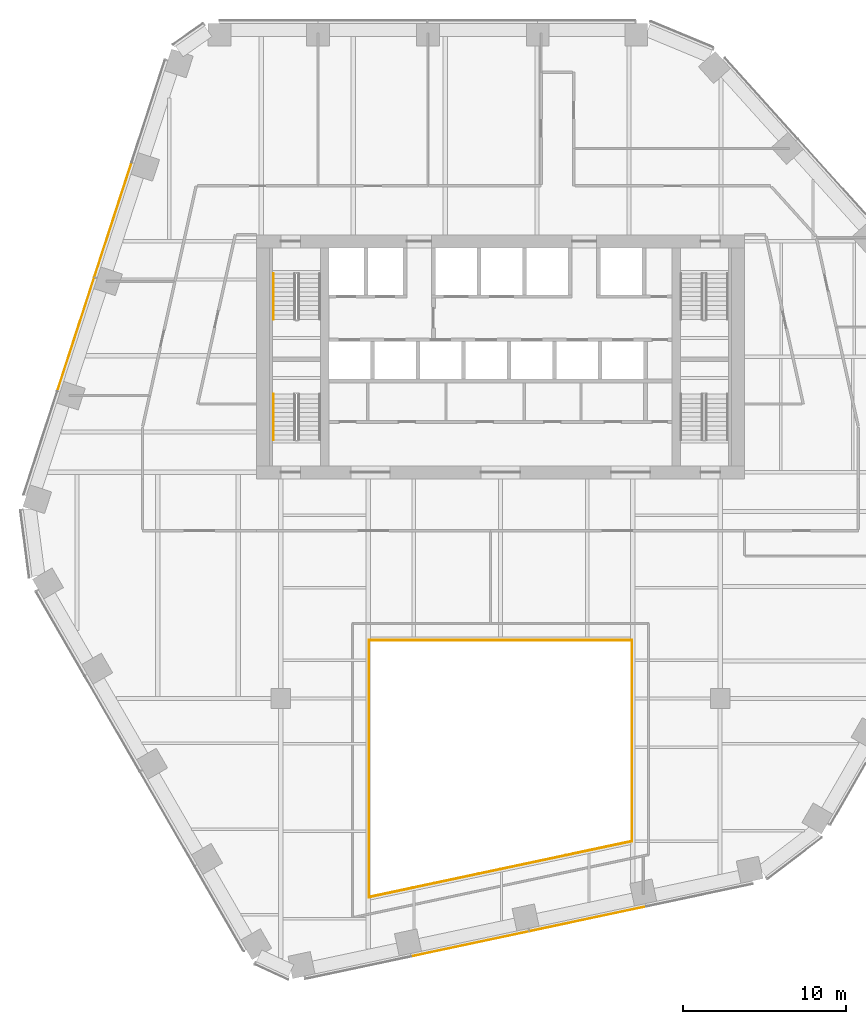
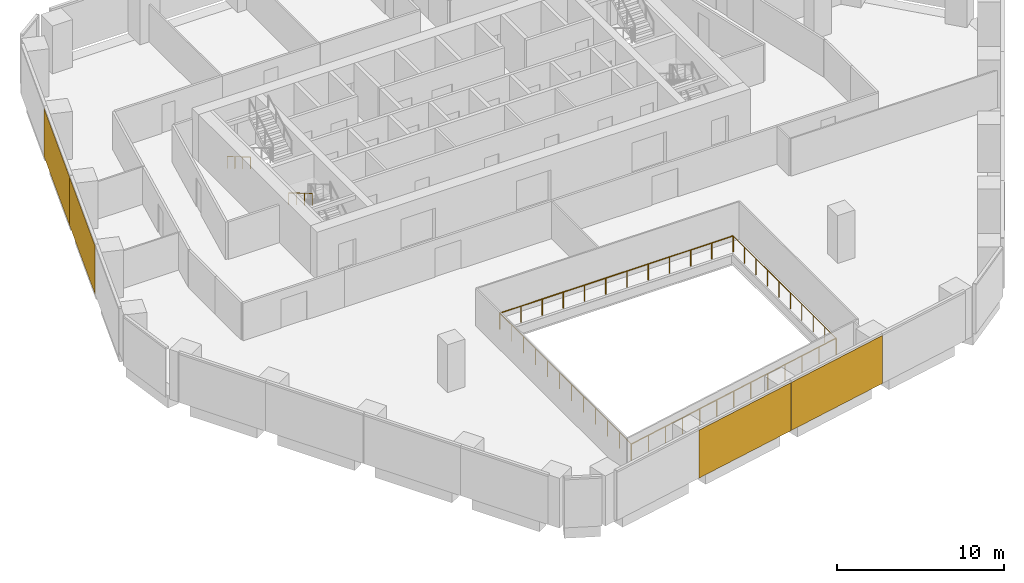
# One storey, part 14 of 16: 6 railings, 4 coverings, 2 elements without a shape of their own.
"""IFC4 building model written with IfcOpenShell, lengths in metres."""

from ifc_helpers import new_model, si_unit, direction, frame, origin, origin_2d, place, context, subcontext, project, spatial, rectangle, circle, extrude, material, layer, layer_set, type_object, element, aggregate, save


model = new_model("IFC4")

# Units and contexts
model_context = context("Model", 3, precision=1e-05, world=origin(), true_north=direction((0.0, 1.0)))
body_context = subcontext(model_context, "Body", "Model", "MODEL_VIEW")
ifc_project = project(units=[si_unit("LENGTHUNIT", "METRE"), si_unit("AREAUNIT", "SQUARE_METRE"), si_unit("VOLUMEUNIT", "CUBIC_METRE"), si_unit("PLANEANGLEUNIT", "RADIAN"), si_unit("MASSUNIT", "GRAM", prefix="KILO")], contexts=[model_context])

# Site, building, storey
site_placement = place(None, origin())
site = spatial("IfcSite", under=ifc_project, at=site_placement, CompositionType="ELEMENT")
building_placement = place(site_placement, origin())
building = spatial("IfcBuilding", under=site, at=building_placement, Name="Isthmus Gate Tower", CompositionType="ELEMENT")
storey_placement = place(building_placement, frame((0.0, 0.0, 137.10009765625)))
storey = spatial("IfcBuildingStorey", under=building, at=storey_placement, Name="L33", CompositionType="ELEMENT", Elevation=137.10009765625)

# Railings
ifc_material_1 = material(Name="Laminated toughened glass balustrade with steel rail", Category="steel")
railing_type_1 = type_object("IfcRailingType", Name="ATRIUM GUARD GLASS BALUSTRADE 1200", PredefinedType="GUARDRAIL", material=ifc_material_1)
railing_1_placement = place(storey_placement, frame((-8.080078125, -25.7099609375, 0.0)))
element("IfcRailing", 1, at=railing_1_placement, inside=storey, type_object=railing_type_1, Name="L33 atrium guard", PredefinedType="GUARDRAIL", context=body_context, shape_type="SweptSolid", body=[
    extrude(circle(Radius=0.02490234375, at=origin_2d()), frame((0.0, 0.0, 1.1748046875), z_axis=(0.0, 1.0, 0.0), x_axis=(-1.0, 0.0, 0.0)), (0.0, 0.0, 1.0), 15.7900390625),
    extrude(circle(Radius=0.02490234375, at=origin_2d()), origin(), (0.0, 0.0, 1.0), 1.14990234375),
    extrude(circle(Radius=0.02490234375, at=origin_2d()), frame((0.0, 1.435546875, 0.0)), (0.0, 0.0, 1.0), 1.14990234375),
    extrude(circle(Radius=0.02490234375, at=origin_2d()), frame((0.0, 2.870849609375, 0.0)), (0.0, 0.0, 1.0), 1.14990234375),
    extrude(circle(Radius=0.02490234375, at=origin_2d()), frame((0.0, 4.306396484375, 0.0)), (0.0, 0.0, 1.0), 1.14990234375),
    extrude(circle(Radius=0.02490234375, at=origin_2d()), frame((0.0, 5.741943359375, 0.0)), (0.0, 0.0, 1.0), 1.14990234375),
    extrude(circle(Radius=0.02490234375, at=origin_2d()), frame((0.0, 7.17724609375, 0.0)), (0.0, 0.0, 1.0), 1.14990234375),
    extrude(circle(Radius=0.02490234375, at=origin_2d()), frame((0.0, 8.61279296875, 0.0)), (0.0, 0.0, 1.0), 1.14990234375),
    extrude(circle(Radius=0.02490234375, at=origin_2d()), frame((0.0, 10.048095703125, 0.0)), (0.0, 0.0, 1.0), 1.14990234375),
    extrude(circle(Radius=0.02490234375, at=origin_2d()), frame((0.0, 11.483642578125, 0.0)), (0.0, 0.0, 1.0), 1.14990234375),
    extrude(circle(Radius=0.02490234375, at=origin_2d()), frame((0.0, 12.919189453125, 0.0)), (0.0, 0.0, 1.0), 1.14990234375),
    extrude(circle(Radius=0.02490234375, at=origin_2d()), frame((0.0, 14.3544921875, 0.0)), (0.0, 0.0, 1.0), 1.14990234375),
    extrude(circle(Radius=0.02490234375, at=origin_2d()), frame((0.0, 15.7900390625, 0.0)), (0.0, 0.0, 1.0), 1.14990234375),
])
railing_2_placement = place(storey_placement, frame((-8.080078125, -9.919921875, 0.0)))
element("IfcRailing", 2, at=railing_2_placement, inside=storey, type_object=railing_type_1, Name="L33 atrium guard", PredefinedType="GUARDRAIL", context=body_context, shape_type="SweptSolid", body=[
    extrude(circle(Radius=0.02490234375, at=origin_2d()), frame((0.0, 0.0, 1.1748046875), z_axis=(1.0, 0.0, 0.0), x_axis=(0.0, 1.0, 0.0)), (0.0, 0.0, 1.0), 16.16015625),
    extrude(circle(Radius=0.02490234375, at=origin_2d()), origin(), (0.0, 0.0, 1.0), 1.14990234375),
    extrude(circle(Radius=0.02490234375, at=origin_2d()), frame((1.468994140625, 0.0, 0.0)), (0.0, 0.0, 1.0), 1.14990234375),
    extrude(circle(Radius=0.02490234375, at=origin_2d()), frame((2.938232421875, 0.0, 0.0)), (0.0, 0.0, 1.0), 1.14990234375),
    extrude(circle(Radius=0.02490234375, at=origin_2d()), frame((4.4072265625, 0.0, 0.0)), (0.0, 0.0, 1.0), 1.14990234375),
    extrude(circle(Radius=0.02490234375, at=origin_2d()), frame((5.87646484375, 0.0, 0.0)), (0.0, 0.0, 1.0), 1.14990234375),
    extrude(circle(Radius=0.02490234375, at=origin_2d()), frame((7.345458984375, 0.0, 0.0)), (0.0, 0.0, 1.0), 1.14990234375),
    extrude(circle(Radius=0.02490234375, at=origin_2d()), frame((8.814697265625, 0.0, 0.0)), (0.0, 0.0, 1.0), 1.14990234375),
    extrude(circle(Radius=0.02490234375, at=origin_2d()), frame((10.28369140625, 0.0, 0.0)), (0.0, 0.0, 1.0), 1.14990234375),
    extrude(circle(Radius=0.02490234375, at=origin_2d()), frame((11.7529296875, 0.0, 0.0)), (0.0, 0.0, 1.0), 1.14990234375),
    extrude(circle(Radius=0.02490234375, at=origin_2d()), frame((13.221923828125, 0.0, 0.0)), (0.0, 0.0, 1.0), 1.14990234375),
    extrude(circle(Radius=0.02490234375, at=origin_2d()), frame((14.691162109375, 0.0, 0.0)), (0.0, 0.0, 1.0), 1.14990234375),
    extrude(circle(Radius=0.02490234375, at=origin_2d()), frame((16.16015625, 0.0, 0.0)), (0.0, 0.0, 1.0), 1.14990234375),
])
railing_3_placement = place(storey_placement, frame((8.080078125, -9.919921875, 0.0)))
element("IfcRailing", 3, at=railing_3_placement, inside=storey, type_object=railing_type_1, Name="L33 atrium guard", PredefinedType="GUARDRAIL", context=body_context, shape_type="SweptSolid", body=[
    extrude(circle(Radius=0.02490234375, at=origin_2d()), frame((0.0, 0.0, 1.1748046875), z_axis=(0.0, -1.0, 0.0), x_axis=(1.0, 0.0, 0.0)), (0.0, 0.0, 1.0), 12.35498046875),
    extrude(circle(Radius=0.02490234375, at=origin_2d()), origin(), (0.0, 0.0, 1.0), 1.14990234375),
    extrude(circle(Radius=0.02490234375, at=origin_2d()), frame((0.0, -1.372802734375, 0.0)), (0.0, 0.0, 1.0), 1.14990234375),
    extrude(circle(Radius=0.02490234375, at=origin_2d()), frame((0.0, -2.74560546875, 0.0)), (0.0, 0.0, 1.0), 1.14990234375),
    extrude(circle(Radius=0.02490234375, at=origin_2d()), frame((0.0, -4.118408203125, 0.0)), (0.0, 0.0, 1.0), 1.14990234375),
    extrude(circle(Radius=0.02490234375, at=origin_2d()), frame((0.0, -5.4912109375, 0.0)), (0.0, 0.0, 1.0), 1.14990234375),
    extrude(circle(Radius=0.02490234375, at=origin_2d()), frame((0.0, -6.86376953125, 0.0)), (0.0, 0.0, 1.0), 1.14990234375),
    extrude(circle(Radius=0.02490234375, at=origin_2d()), frame((0.0, -8.236572265625, 0.0)), (0.0, 0.0, 1.0), 1.14990234375),
    extrude(circle(Radius=0.02490234375, at=origin_2d()), frame((0.0, -9.609375, 0.0)), (0.0, 0.0, 1.0), 1.14990234375),
    extrude(circle(Radius=0.02490234375, at=origin_2d()), frame((0.0, -10.982177734375, 0.0)), (0.0, 0.0, 1.0), 1.14990234375),
    extrude(circle(Radius=0.02490234375, at=origin_2d()), frame((0.0, -12.35498046875, 0.0)), (0.0, 0.0, 1.0), 1.14990234375),
])
railing_4_placement = place(storey_placement, frame((8.080078125, -22.27490234375, 0.0)))
element("IfcRailing", 4, at=railing_4_placement, inside=storey, type_object=railing_type_1, Name="L33 atrium guard", PredefinedType="GUARDRAIL", context=body_context, shape_type="SweptSolid", body=[
    extrude(circle(Radius=0.02490234375, at=origin_2d()), frame((0.0, 0.0, 1.1748046875), z_axis=(-0.978146230105, -0.207918139013, 0.0), x_axis=(0.207918139013, -0.978146230105, 0.0)), (0.0, 0.0, 1.0), 16.521240234375),
    extrude(circle(Radius=0.02490234375, at=origin_2d()), origin(), (0.0, 0.0, 1.0), 1.14990234375),
    extrude(circle(Radius=0.02490234375, at=origin_2d()), frame((-1.3466796875, -0.2861328125, 0.0)), (0.0, 0.0, 1.0), 1.14990234375),
    extrude(circle(Radius=0.02490234375, at=origin_2d()), frame((-2.693359375, -0.572509765625, 0.0)), (0.0, 0.0, 1.0), 1.14990234375),
    extrude(circle(Radius=0.02490234375, at=origin_2d()), frame((-4.0400390625, -0.85888671875, 0.0)), (0.0, 0.0, 1.0), 1.14990234375),
    extrude(circle(Radius=0.02490234375, at=origin_2d()), frame((-5.38671875, -1.14501953125, 0.0)), (0.0, 0.0, 1.0), 1.14990234375),
    extrude(circle(Radius=0.02490234375, at=origin_2d()), frame((-6.7333984375, -1.43115234375, 0.0)), (0.0, 0.0, 1.0), 1.14990234375),
    extrude(circle(Radius=0.02490234375, at=origin_2d()), frame((-8.080078125, -1.717529296875, 0.0)), (0.0, 0.0, 1.0), 1.14990234375),
    extrude(circle(Radius=0.02490234375, at=origin_2d()), frame((-9.4267578125, -2.00390625, 0.0)), (0.0, 0.0, 1.0), 1.14990234375),
    extrude(circle(Radius=0.02490234375, at=origin_2d()), frame((-10.7734375, -2.2900390625, 0.0)), (0.0, 0.0, 1.0), 1.14990234375),
    extrude(circle(Radius=0.02490234375, at=origin_2d()), frame((-12.1201171875, -2.576171875, 0.0)), (0.0, 0.0, 1.0), 1.14990234375),
    extrude(circle(Radius=0.02490234375, at=origin_2d()), frame((-13.466796875, -2.862548828125, 0.0)), (0.0, 0.0, 1.0), 1.14990234375),
    extrude(circle(Radius=0.02490234375, at=origin_2d()), frame((-14.8134765625, -3.14892578125, 0.0)), (0.0, 0.0, 1.0), 1.14990234375),
    extrude(circle(Radius=0.02490234375, at=origin_2d()), frame((-16.16015625, -3.43505859375, 0.0)), (0.0, 0.0, 1.0), 1.14990234375),
])

# Curtain wall, coverings
ifc_material_2 = material(Name="Aluminium, pale champagne anodised", Category="aluminium")
ifc_layer_1 = layer(ifc_material_2, 0.199951171875)
ifc_layer_set_1 = layer_set([ifc_layer_1], Name="CW-1 UNITISED CURTAIN WALL 200 DEEP")
curtain_wall_type = type_object("IfcCurtainWallType", Name="CW-1 UNITISED CURTAIN WALL 200 DEEP", PredefinedType="NOTDEFINED", material=ifc_layer_set_1)
curtain_wall_1_placement = place(storey_placement, origin())
curtain_wall_1 = element("IfcCurtainWall", 5, at=curtain_wall_1_placement, inside=storey, type_object=curtain_wall_type, Name="CW-1 NW L33", PredefinedType="NOTDEFINED")
ifc_material_3 = material(Name="Aluminium composite panel, pale champagne anodised", Category="aluminium")
ifc_layer_2 = layer(ifc_material_3, 0.035888671875)
ifc_layer_set_2 = layer_set([ifc_layer_2], Name="CW-1 PALE METAL PANEL 36")
covering_type = type_object("IfcCoveringType", Name="CW-1 PALE METAL PANEL 36", PredefinedType="CLADDING", material=ifc_layer_set_2)
covering_1_placement = place(storey_placement, frame((-23.813720703125, 15.927490234375, 0.0), z_axis=(0.0, 0.0, 1.0), x_axis=(-0.309016994375, -0.951056516295, 0.0)))
covering_1 = element("IfcCovering", 6, at=covering_1_placement, type_object=covering_type, Name="CW-1 pale metal panel", PredefinedType="CLADDING", context=body_context, shape_type="SweptSolid", body=[
    extrude(rectangle(XDim=7.390869140625, YDim=0.035888671875, at=origin_2d()), origin(), (0.0, 0.0, 1.0), 3.510009765625),
])
covering_2_placement = place(storey_placement, frame((-26.10693359375, 8.8701171875, 0.0), z_axis=(0.0, 0.0, 1.0), x_axis=(-0.309016994375, -0.951056516295, 0.0)))
covering_2 = element("IfcCovering", 7, at=covering_2_placement, type_object=covering_type, Name="CW-1 pale metal panel", PredefinedType="CLADDING", context=body_context, shape_type="SweptSolid", body=[
    extrude(rectangle(XDim=7.330810546875, YDim=0.035888671875, at=origin_2d()), origin(), (0.0, 0.0, 1.0), 3.510009765625),
])
aggregate(curtain_wall_1, [covering_1, covering_2])

curtain_wall_2_placement = place(storey_placement, origin())
curtain_wall_2 = element("IfcCurtainWall", 8, at=curtain_wall_2_placement, inside=storey, type_object=curtain_wall_type, Name="CW-1 S L33", PredefinedType="NOTDEFINED")
covering_3_placement = place(storey_placement, frame((-1.88671875, -28.587158203125, 0.0), z_axis=(0.0, 0.0, 1.0), x_axis=(0.978147600734, 0.207911690818, 0.0)))
covering_3 = element("IfcCovering", 9, at=covering_3_placement, type_object=covering_type, Name="CW-1 pale metal panel", PredefinedType="CLADDING", context=body_context, shape_type="SweptSolid", body=[
    extrude(rectangle(XDim=7.390869140625, YDim=0.035888671875, at=origin_2d()), origin(), (0.0, 0.0, 1.0), 3.510009765625),
])
covering_4_placement = place(storey_placement, frame((5.371826171875, -27.044189453125, 0.0), z_axis=(0.0, 0.0, 1.0), x_axis=(0.978147600734, 0.207911690818, 0.0)))
covering_4 = element("IfcCovering", 10, at=covering_4_placement, type_object=covering_type, Name="CW-1 pale metal panel", PredefinedType="CLADDING", context=body_context, shape_type="SweptSolid", body=[
    extrude(rectangle(XDim=7.330810546875, YDim=0.035888671875, at=origin_2d()), origin(), (0.0, 0.0, 1.0), 3.510009765625),
])
aggregate(curtain_wall_2, [covering_3, covering_4])

# Railings
ifc_material_4 = material(Name="Stainless steel handrail", Category="steel")
railing_type_2 = type_object("IfcRailingType", Name="STAIR HANDRAIL 900", PredefinedType="HANDRAIL", material=ifc_material_4)
for number, where, name in (
    (11, (-13.949951171875, 12.60009765625, 0.165771484375), "L33 ST1 stair handrail 1"),
    (12, (-13.949951171875, 5.199951171875, 1.99072265625), "L33 ST7 stair handrail 2"),
):
    element("IfcRailing", number, at=place(storey_placement, frame(where)), inside=storey, type_object=railing_type_2, Name=name, PredefinedType="HANDRAIL", context=body_context, shape_type="SweptSolid", body=[
        extrude(circle(Radius=0.02392578125, at=origin_2d()), frame((0.0, 0.0, 0.8759765625), z_axis=(0.0, -0.860306154799, 0.50977771628), x_axis=(1.0, 0.0, 0.0)), (0.0, 0.0, 1.0), 3.254638671875),
        extrude(circle(Radius=0.02099609375, at=origin_2d()), origin(), (0.0, 0.0, 1.0), 0.851806640625),
        extrude(circle(Radius=0.02099609375, at=origin_2d()), frame((0.0, -0.933349609375, 0.552978515625)), (0.0, 0.0, 1.0), 0.851806640625),
        extrude(circle(Radius=0.02099609375, at=origin_2d()), frame((0.0, -1.86669921875, 1.106201171875)), (0.0, 0.0, 1.0), 0.851806640625),
        extrude(circle(Radius=0.02099609375, at=origin_2d()), frame((0.0, -2.800048828125, 1.6591796875)), (0.0, 0.0, 1.0), 0.851806640625),
    ])

save(model, "model.ifc")
